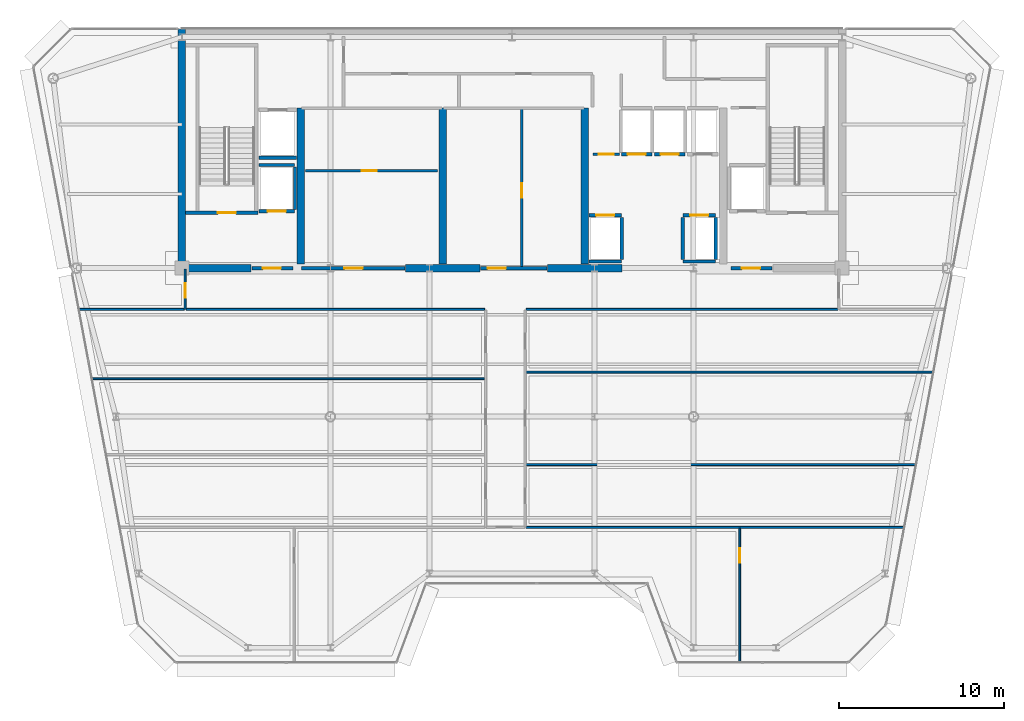
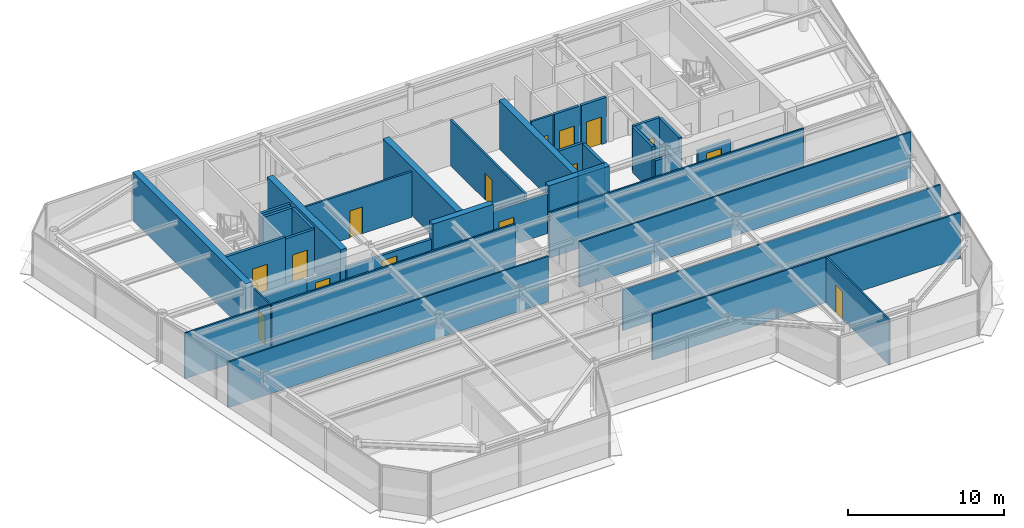
# One storey, part 11 of 20: 37 walls, 15 doors, 15 openings.
"""IFC4 building model written with IfcOpenShell, lengths in metres."""

from ifc_helpers import new_model, si_unit, direction, frame, frame_2d, origin, place, context, subcontext, project, spatial, rectangle, extrude, source, transform, mapped, material, layer, layer_set, type_object, element, fill, save


model = new_model("IFC4")

# Units and contexts
model_context = context("Model", 3, precision=1e-05, world=origin(), true_north=direction((0.0, 1.0)))
body_context = subcontext(model_context, "Body", "Model", "MODEL_VIEW")
ifc_project = project(units=[si_unit("LENGTHUNIT", "METRE"), si_unit("AREAUNIT", "SQUARE_METRE"), si_unit("VOLUMEUNIT", "CUBIC_METRE"), si_unit("PLANEANGLEUNIT", "RADIAN"), si_unit("MASSUNIT", "GRAM", prefix="KILO")], contexts=[model_context])

# Site, building, storey
site_placement = place(None, origin())
site = spatial("IfcSite", under=ifc_project, at=site_placement, CompositionType="ELEMENT")
building_placement = place(site_placement, origin())
building = spatial("IfcBuilding", under=site, at=building_placement, Name="Vaeldorn Concourse Tower", CompositionType="ELEMENT")
storey_placement = place(building_placement, frame((0.0, 0.0, 291.60009765625)))
storey = spatial("IfcBuildingStorey", under=building, at=storey_placement, Name="L75", CompositionType="ELEMENT", Elevation=291.60009765625)

# Walls
ifc_material_1 = material(Name="Concrete C50/60", Category="concrete")
ifc_layer_1 = layer(ifc_material_1, 0.449951171875)
ifc_layer_set_1 = layer_set([ifc_layer_1], Name="Concrete C50/60")
wall_type_1 = type_object("IfcWallType", Name="WL-CORE-450", PredefinedType="SHEAR", material=ifc_layer_set_1)
wall_1_placement = place(storey_placement, frame((14.0, 36.5, 0.0), z_axis=(0.0, 0.0, 1.0), x_axis=(0.0, 1.0, 0.0)))
element("IfcWall", 1, at=wall_1_placement, inside=storey, type_object=wall_type_1, Name="Rear Core Shear Wall L75 W1", PredefinedType="SHEAR", context=body_context, shape_type="SweptSolid", body=[
    extrude(rectangle(XDim=14.5, YDim=0.449951171875, at=frame_2d((7.25, 0.0))), origin(), (0.0, 0.0, 1.0), 3.7998046875),
])
wall_2_placement = place(storey_placement, frame((14.2451171875, 36.5, 0.0), z_axis=(0.0, 0.0, 1.0), x_axis=(1.0, 0.0, 0.0)))
element("IfcWall", 2, at=wall_2_placement, inside=storey, type_object=wall_type_1, Name="Rear Core Shear Wall L75 S1", PredefinedType="SHEAR", context=body_context, shape_type="SweptSolid", body=[
    extrude(rectangle(XDim=3.954833984375, YDim=0.449951171875, at=frame_2d((1.9775390625, 0.0))), origin(), (0.0, 0.0, 1.0), 2.579833984375),
])
for number, where, z_axis, x_axis, name in (
    (3, (27.550048828125, 36.5, 0.0), (0.0, 0.0, 1.0), (1.0, 0.0, 0.0), "Rear Core Shear Wall L75 S2"),
    (4, (36.14990234375, 36.5, 0.0), (0.0, 0.0, 1.0), (1.0, 0.0, 0.0), "Rear Core Shear Wall L75 S3"),
):
    element("IfcWall", number, at=place(storey_placement, frame(where, z_axis=z_axis, x_axis=x_axis)), inside=storey, type_object=wall_type_1, Name=name, PredefinedType="SHEAR", context=body_context, shape_type="SweptSolid", body=[
        extrude(rectangle(XDim=4.5, YDim=0.449951171875, at=frame_2d((2.25, 0.0))), origin(), (0.0, 0.0, 1.0), 3.7998046875),
    ])
for number, where, z_axis, x_axis, name in (
    (5, (21.199951171875, 36.7451171875, 0.0), (0.0, 0.0, 1.0), (0.0, 1.0, 0.0), "Rear Core Shear Wall L75 M1"),
    (6, (29.800048828125, 36.7451171875, 0.0), (0.0, 0.0, 1.0), (0.0, 1.0, 0.0), "Rear Core Shear Wall L75 M2"),
    (7, (38.39990234375, 36.7451171875, 0.0), (0.0, 0.0, 1.0), (0.0, 1.0, 0.0), "Rear Core Shear Wall L75 M3"),
):
    element("IfcWall", number, at=place(storey_placement, frame(where, z_axis=z_axis, x_axis=x_axis)), inside=storey, type_object=wall_type_1, Name=name, PredefinedType="SHEAR", context=body_context, shape_type="SweptSolid", body=[
        extrude(rectangle(XDim=9.454833984375, YDim=0.449951171875, at=frame_2d((4.7275390625, 0.0))), origin(), (0.0, 0.0, 1.0), 3.7998046875),
    ])
ifc_material_2 = material(Name="Gypsum Board Partition", Category="gypsum")
ifc_layer_2 = layer(ifc_material_2, 0.1201171875)
ifc_layer_set_2 = layer_set([ifc_layer_2], Name="Gypsum Board Partition")
wall_type_2 = type_object("IfcWallType", Name="WL-PART-120", PredefinedType="PARTITIONING", material=ifc_layer_set_2)
wall_3_placement = place(storey_placement, frame((14.260009765625, 34.0, 0.0), z_axis=(0.0, 0.0, 1.0), x_axis=(1.0, 0.0, 0.0)))
element("IfcWall", 8, at=wall_3_placement, inside=storey, type_object=wall_type_2, Name="Interior Wall PW-L75-C3SW", PredefinedType="PARTITIONING", context=body_context, shape_type="SweptSolid", body=[
    extrude(rectangle(XDim=18.080078125, YDim=0.1201171875, at=frame_2d((9.0400390625, 0.0))), origin(), (0.0, 0.0, 1.0), 3.579833984375),
])
wall_4_placement = place(storey_placement, frame((34.860107421875, 34.0, 0.0), z_axis=(0.0, 0.0, 1.0), x_axis=(1.0, 0.0, 0.0)))
element("IfcWall", 9, at=wall_4_placement, inside=storey, type_object=wall_type_2, Name="Interior Wall PW-L75-C3SE", PredefinedType="PARTITIONING", context=body_context, shape_type="SweptSolid", body=[
    extrude(rectangle(XDim=18.8798828125, YDim=0.1201171875, at=frame_2d((9.43994140625, 0.0))), origin(), (0.0, 0.0, 1.0), 3.579833984375),
])

# Wall, opening, door
wall_5_placement = place(storey_placement, frame((14.199951171875, 34.0, 0.0), z_axis=(0.0, 0.0, 1.0), x_axis=(0.0, 1.0, 0.0)))
wall_5 = element("IfcWall", 10, at=wall_5_placement, inside=storey, type_object=wall_type_2, Name="Interior Wall PW-L75-C3W", PredefinedType="PARTITIONING", context=body_context, shape_type="SweptSolid", body=[
    extrude(rectangle(XDim=2.43994140625, YDim=0.1201171875, at=frame_2d((1.219970703125, 0.0))), origin(), (0.0, 0.0, 1.0), 3.579833984375),
])
opening_1_placement = place(wall_5_placement, frame((0.699951171875, 0.0, 0.0)))
opening_1 = element("IfcOpeningElement", 11, at=opening_1_placement, cuts=wall_5, Name="Opening D-03", PredefinedType="OPENING", context=body_context, shape_type="SweptSolid", body=[
    extrude(rectangle(XDim=0.89990234375, YDim=2.14990234375, at=frame_2d((0.449951171875, 1.074951171875))), frame((0.0, 0.070068359375, 0.0), z_axis=(0.0, -1.0, 0.0), x_axis=(1.0, 0.0, 0.0)), (0.0, 0.0, 1.0), 0.14013671875),
])
ifc_material_3 = material(Name="Acoustic Bronze-Framed Glass Door", Category="glass")
door_type_1 = type_object("IfcDoorType", Name="DR-INT-900", OperationType="NOTDEFINED", PredefinedType="DOOR", material=ifc_material_3)
shared_shape_1 = source(origin(), body_context, "Body", "SweptSolid", [
    extrude(rectangle(XDim=0.89990234375, YDim=2.14990234375, at=frame_2d((0.449951171875, 1.074951171875))), frame((0.0, 0.02490234375, 0.0), z_axis=(0.0, -1.0, 0.0), x_axis=(1.0, 0.0, 0.0)), (0.0, 0.0, 1.0), 0.050048828125),
])
door_1_placement = place(opening_1_placement, origin())
door_1 = element("IfcDoor", 12, at=door_1_placement, inside=storey, type_object=door_type_1, Name="Interior Door DR-L75-Z3NW", OperationType="SINGLE_SWING_LEFT", OverallHeight=2.14990234375, OverallWidth=0.89990234375, PredefinedType="DOOR", context=body_context, shape_type="MappedRepresentation", body=[
    mapped(shared_shape_1, transform((0.0, 0.0, 0.0), scale=1.0)),
])
fill(opening_1, door_1)

# Walls
wall_6_placement = place(storey_placement, frame((7.795654296875, 34.0, 0.0), z_axis=(0.0, 0.0, 1.0), x_axis=(1.0, 0.0, 0.0)))
element("IfcWall", 13, at=wall_6_placement, inside=storey, type_object=wall_type_2, Name="Interior Wall PW-L75-Z3NWB", PredefinedType="PARTITIONING", context=body_context, shape_type="SweptSolid", body=[
    extrude(rectangle(XDim=6.34423828125, YDim=0.1201171875, at=frame_2d((3.172119140625, 0.0))), origin(), (0.0, 0.0, 1.0), 3.579833984375),
])
wall_7_placement = place(storey_placement, frame((8.5830078125, 29.800048828125, 0.0), z_axis=(0.0, 0.0, 1.0), x_axis=(1.0, 0.0, 0.0)))
element("IfcWall", 14, at=wall_7_placement, inside=storey, type_object=wall_type_2, Name="Interior Wall PW-L75-Z3WY2", PredefinedType="PARTITIONING", context=body_context, shape_type="SweptSolid", body=[
    extrude(rectangle(XDim=23.757080078125, YDim=0.1201171875, at=frame_2d((11.87841796875, 0.0))), origin(), (0.0, 0.0, 1.0), 3.579833984375),
])
wall_8_placement = place(storey_placement, frame((34.860107421875, 24.60009765625, 0.0), z_axis=(0.0, 0.0, 1.0), x_axis=(1.0, 0.0, 0.0)))
element("IfcWall", 15, at=wall_8_placement, inside=storey, type_object=wall_type_2, Name="Interior Wall PW-L75-Z3EY1", PredefinedType="PARTITIONING", context=body_context, shape_type="SweptSolid", body=[
    extrude(rectangle(XDim=23.582275390625, YDim=0.1201171875, at=frame_2d((11.791015625, 0.0))), origin(), (0.0, 0.0, 1.0), 3.2099609375),
])
wall_9_placement = place(storey_placement, frame((34.860107421875, 30.199951171875, 0.0), z_axis=(0.0, 0.0, 1.0), x_axis=(1.0, 0.0, 0.0)))
element("IfcWall", 16, at=wall_9_placement, inside=storey, type_object=wall_type_2, Name="Interior Wall PW-L75-Z3EY2", PredefinedType="PARTITIONING", context=body_context, shape_type="SweptSolid", body=[
    extrude(rectangle(XDim=24.632080078125, YDim=0.1201171875, at=frame_2d((12.31591796875, 0.0))), origin(), (0.0, 0.0, 1.0), 3.579833984375),
])
wall_10_placement = place(storey_placement, frame((34.860107421875, 20.800048828125, 0.0), z_axis=(0.0, 0.0, 1.0), x_axis=(1.0, 0.0, 0.0)))
element("IfcWall", 17, at=wall_10_placement, inside=storey, type_object=wall_type_2, Name="Interior Wall PW-L75-Z3SEL", PredefinedType="PARTITIONING", context=body_context, shape_type="SweptSolid", body=[
    extrude(rectangle(XDim=22.869873046875, YDim=0.1201171875, at=frame_2d((11.43505859375, 0.0))), origin(), (0.0, 0.0, 1.0), 3.579833984375),
])

# Wall, opening, door
wall_11_placement = place(storey_placement, frame((47.800048828125, 12.639892578125, 0.0), z_axis=(0.0, 0.0, 1.0), x_axis=(0.0, 1.0, 0.0)))
wall_11 = element("IfcWall", 18, at=wall_11_placement, inside=storey, type_object=wall_type_2, Name="Interior Wall PW-L75-Z3SX2", PredefinedType="PARTITIONING", context=body_context, shape_type="SweptSolid", body=[
    extrude(rectangle(XDim=8.10009765625, YDim=0.1201171875, at=frame_2d((4.050048828125, 0.0))), origin(), (0.0, 0.0, 1.0), 3.579833984375),
])
opening_2_placement = place(wall_11_placement, frame((6.0, 0.0, 0.0)))
opening_2 = element("IfcOpeningElement", 19, at=opening_2_placement, cuts=wall_11, Name="Opening D-03", PredefinedType="OPENING", context=body_context, shape_type="SweptSolid", body=[
    extrude(rectangle(XDim=0.89990234375, YDim=2.14990234375, at=frame_2d((0.449951171875, 1.074951171875))), frame((0.0, 0.070068359375, 0.0), z_axis=(0.0, -1.0, 0.0), x_axis=(1.0, 0.0, 0.0)), (0.0, 0.0, 1.0), 0.14013671875),
])
door_2_placement = place(opening_2_placement, origin())
door_2 = element("IfcDoor", 20, at=door_2_placement, inside=storey, type_object=door_type_1, Name="Interior Door DR-L75-Z3SX2", OperationType="SINGLE_SWING_LEFT", OverallHeight=2.14990234375, OverallWidth=0.89990234375, PredefinedType="DOOR", context=body_context, shape_type="MappedRepresentation", body=[
    mapped(shared_shape_1, transform((0.0, 0.0, 0.0), scale=1.0)),
])
fill(opening_2, door_2)

ifc_layer_3 = layer(ifc_material_2, 0.14990234375)
ifc_layer_set_3 = layer_set([ifc_layer_3], Name="Gypsum Board Partition")
wall_type_3 = type_object("IfcWallType", Name="WL-PART-150", PredefinedType="PARTITIONING", material=ifc_layer_set_3)
wall_12_placement = place(storey_placement, frame((21.5, 42.39990234375, 0.0), z_axis=(0.0, 0.0, 1.0), x_axis=(1.0, 0.0, 0.0)))
wall_12 = element("IfcWall", 21, at=wall_12_placement, inside=storey, type_object=wall_type_3, Name="Interior Wall CW-L75-R1M", PredefinedType="PARTITIONING", context=body_context, shape_type="SweptSolid", body=[
    extrude(rectangle(XDim=8.0, YDim=0.14990234375, at=frame_2d((4.0, 0.0))), origin(), (0.0, 0.0, 1.0), 3.579833984375),
])
opening_3_placement = place(wall_12_placement, frame((3.39990234375, 0.0, 0.0)))
opening_3 = element("IfcOpeningElement", 22, at=opening_3_placement, cuts=wall_12, Name="Opening D-02", PredefinedType="OPENING", context=body_context, shape_type="SweptSolid", body=[
    extrude(rectangle(XDim=0.89990234375, YDim=2.10009765625, at=frame_2d((0.449951171875, 1.050048828125))), frame((0.0, 0.0849609375, 0.0), z_axis=(0.0, -1.0, 0.0), x_axis=(1.0, 0.0, 0.0)), (0.0, 0.0, 1.0), 0.169921875),
])
ifc_material_4 = material(Name="Fire-Rated Timber Leaf", Category="wood")
door_type_2 = type_object("IfcDoorType", Name="DR-FD30-900", OperationType="NOTDEFINED", PredefinedType="DOOR", material=ifc_material_4)
shared_shape_2 = source(origin(), body_context, "Body", "SweptSolid", [
    extrude(rectangle(XDim=0.89990234375, YDim=2.10009765625, at=frame_2d((0.449951171875, 1.050048828125))), frame((0.0, 0.02490234375, 0.0), z_axis=(0.0, -1.0, 0.0), x_axis=(1.0, 0.0, 0.0)), (0.0, 0.0, 1.0), 0.050048828125),
])
door_3_placement = place(opening_3_placement, origin())
door_3 = element("IfcDoor", 23, at=door_3_placement, inside=storey, type_object=door_type_2, Name="Interior Door DR-L75-R1M", OperationType="SINGLE_SWING_RIGHT", OverallHeight=2.10009765625, OverallWidth=0.89990234375, PredefinedType="DOOR", context=body_context, shape_type="MappedRepresentation", body=[
    mapped(shared_shape_2, transform((0.0, 0.0, 0.0), scale=1.0)),
])
fill(opening_3, door_3)

wall_13_placement = place(storey_placement, frame((34.60009765625, 36.56005859375, 0.0), z_axis=(0.0, 0.0, 1.0), x_axis=(0.0, 1.0, 0.0)))
wall_13 = element("IfcWall", 24, at=wall_13_placement, inside=storey, type_object=wall_type_3, Name="Interior Wall CW-L75-R2M", PredefinedType="PARTITIONING", context=body_context, shape_type="SweptSolid", body=[
    extrude(rectangle(XDim=9.579833984375, YDim=0.14990234375, at=frame_2d((4.7900390625, 0.0))), origin(), (0.0, 0.0, 1.0), 3.579833984375),
])
opening_4_placement = place(wall_13_placement, frame((4.199951171875, 0.0, 0.0)))
opening_4 = element("IfcOpeningElement", 25, at=opening_4_placement, cuts=wall_13, Name="Opening D-02", PredefinedType="OPENING", context=body_context, shape_type="SweptSolid", body=[
    extrude(rectangle(XDim=0.89990234375, YDim=2.10009765625, at=frame_2d((0.449951171875, 1.050048828125))), frame((0.0, 0.0849609375, 0.0), z_axis=(0.0, -1.0, 0.0), x_axis=(1.0, 0.0, 0.0)), (0.0, 0.0, 1.0), 0.169921875),
])
door_4_placement = place(opening_4_placement, origin())
door_4 = element("IfcDoor", 26, at=door_4_placement, inside=storey, type_object=door_type_2, Name="Interior Door DR-L75-R2E", OperationType="SINGLE_SWING_RIGHT", OverallHeight=2.10009765625, OverallWidth=0.89990234375, PredefinedType="DOOR", context=body_context, shape_type="MappedRepresentation", body=[
    mapped(shared_shape_2, transform((0.0, 0.0, 0.0), scale=1.0)),
])
fill(opening_4, door_4)

wall_14_placement = place(storey_placement, frame((38.919921875, 43.39990234375, 0.0), z_axis=(0.0, 0.0, 1.0), x_axis=(1.0, 0.0, 0.0)))
wall_14 = element("IfcWall", 27, at=wall_14_placement, inside=storey, type_object=wall_type_3, Name="Interior Wall CW-L75-CCLINK", PredefinedType="PARTITIONING", context=body_context, shape_type="SweptSolid", body=[
    extrude(rectangle(XDim=1.60009765625, YDim=0.14990234375, at=frame_2d((0.800048828125, 0.0))), origin(), (0.0, 0.0, 1.0), 3.579833984375),
])
opening_5_placement = place(wall_14_placement, frame((0.35009765625, 0.0, 0.0)))
opening_5 = element("IfcOpeningElement", 28, at=opening_5_placement, cuts=wall_14, Name="Opening D-02", PredefinedType="OPENING", context=body_context, shape_type="SweptSolid", body=[
    extrude(rectangle(XDim=0.89990234375, YDim=2.10009765625, at=frame_2d((0.449951171875, 1.050048828125))), frame((0.0, 0.0849609375, 0.0), z_axis=(0.0, -1.0, 0.0), x_axis=(1.0, 0.0, 0.0)), (0.0, 0.0, 1.0), 0.169921875),
])
door_5_placement = place(opening_5_placement, origin())
door_5 = element("IfcDoor", 29, at=door_5_placement, inside=storey, type_object=door_type_2, Name="Interior Door DR-L75-CCLINK", OperationType="SINGLE_SWING_LEFT", OverallHeight=2.10009765625, OverallWidth=0.89990234375, PredefinedType="DOOR", context=body_context, shape_type="MappedRepresentation", body=[
    mapped(shared_shape_2, transform((0.0, 0.0, 0.0), scale=1.0)),
])
fill(opening_5, door_5)

ifc_layer_4 = layer(ifc_material_1, 0.199951171875)
ifc_layer_set_4 = layer_set([ifc_layer_4], Name="Concrete C50/60")
wall_type_4 = type_object("IfcWallType", Name="WL-SHAFT-200", PredefinedType="SOLIDWALL", material=ifc_layer_set_4)
wall_15_placement = place(storey_placement, frame((14.22509765625, 39.85009765625, 0.0), z_axis=(0.0, 0.0, 1.0), x_axis=(1.0, 0.0, 0.0)))
wall_15 = element("IfcWall", 30, at=wall_15_placement, inside=storey, type_object=wall_type_4, Name="Stair Shaft Wall CW-L75-ST-1-S", PredefinedType="SOLIDWALL", context=body_context, shape_type="SweptSolid", body=[
    extrude(rectangle(XDim=4.375, YDim=0.199951171875, at=frame_2d((2.1875, 0.0))), origin(), (0.0, 0.0, 1.0), 3.7998046875),
])
opening_6_placement = place(wall_15_placement, frame((1.949951171875, 0.0, 0.0)))
opening_6 = element("IfcOpeningElement", 31, at=opening_6_placement, cuts=wall_15, Name="Opening D-01", PredefinedType="OPENING", context=body_context, shape_type="SweptSolid", body=[
    extrude(rectangle(XDim=1.10009765625, YDim=2.14990234375, at=frame_2d((0.550048828125, 1.074951171875))), frame((0.0, 0.10986328125, 0.0), z_axis=(0.0, -1.0, 0.0), x_axis=(1.0, 0.0, 0.0)), (0.0, 0.0, 1.0), 0.219970703125),
])
ifc_material_5 = material(Name="Fire-Rated Timber and Steel Leaf", Category="steel")
door_type_3 = type_object("IfcDoorType", Name="DR-FD60-1100", OperationType="NOTDEFINED", PredefinedType="DOOR", material=ifc_material_5)
shared_shape_3 = source(origin(), body_context, "Body", "SweptSolid", [
    extrude(rectangle(XDim=1.10009765625, YDim=2.14990234375, at=frame_2d((0.550048828125, 1.074951171875))), frame((0.0, 0.02490234375, 0.0), z_axis=(0.0, -1.0, 0.0), x_axis=(1.0, 0.0, 0.0)), (0.0, 0.0, 1.0), 0.050048828125),
])
door_6_placement = place(opening_6_placement, origin())
door_6 = element("IfcDoor", 32, at=door_6_placement, inside=storey, type_object=door_type_3, Name="Interior Door DR-L75-ST-1", OperationType="SINGLE_SWING_LEFT", OverallHeight=2.14990234375, OverallWidth=1.10009765625, PredefinedType="DOOR", context=body_context, shape_type="MappedRepresentation", body=[
    mapped(shared_shape_3, transform((0.0, 0.0, 0.0), scale=1.0)),
])
fill(opening_6, door_6)

wall_16_placement = place(storey_placement, frame((18.25, 36.5, 0.0), z_axis=(0.0, 0.0, 1.0), x_axis=(1.0, 0.0, 0.0)))
wall_16 = element("IfcWall", 33, at=wall_16_placement, inside=storey, type_object=wall_type_4, Name="Interior Wall CW-L75-FF1S", PredefinedType="SOLIDWALL", context=body_context, shape_type="SweptSolid", body=[
    extrude(rectangle(XDim=2.469970703125, YDim=0.199951171875, at=frame_2d((1.23486328125, 0.0))), origin(), (0.0, 0.0, 1.0), 2.56982421875),
])
opening_7_placement = place(wall_16_placement, frame((0.64990234375, 0.0, 0.0)))
opening_7 = element("IfcOpeningElement", 34, at=opening_7_placement, cuts=wall_16, Name="Opening D-01", PredefinedType="OPENING", context=body_context, shape_type="SweptSolid", body=[
    extrude(rectangle(XDim=1.10009765625, YDim=2.14990234375, at=frame_2d((0.550048828125, 1.074951171875))), frame((0.0, 0.10986328125, 0.0), z_axis=(0.0, -1.0, 0.0), x_axis=(1.0, 0.0, 0.0)), (0.0, 0.0, 1.0), 0.219970703125),
])
door_7_placement = place(opening_7_placement, origin())
door_7 = element("IfcDoor", 35, at=door_7_placement, inside=storey, type_object=door_type_3, Name="Interior Door DR-L75-FF1E", OperationType="SINGLE_SWING_RIGHT", OverallHeight=2.14990234375, OverallWidth=1.10009765625, PredefinedType="DOOR", context=body_context, shape_type="MappedRepresentation", body=[
    mapped(shared_shape_3, transform((0.0, 0.0, 0.0), scale=1.0)),
])
fill(opening_7, door_7)

wall_17_placement = place(storey_placement, frame((47.280029296875, 36.5, 0.0), z_axis=(0.0, 0.0, 1.0), x_axis=(1.0, 0.0, 0.0)))
wall_17 = element("IfcWall", 36, at=wall_17_placement, inside=storey, type_object=wall_type_4, Name="Interior Wall CW-L75-FF2S", PredefinedType="SOLIDWALL", context=body_context, shape_type="SweptSolid", body=[
    extrude(rectangle(XDim=2.469970703125, YDim=0.199951171875, at=frame_2d((1.23486328125, 0.0))), origin(), (0.0, 0.0, 1.0), 2.56982421875),
])
opening_8_placement = place(wall_17_placement, frame((0.64990234375, 0.0, 0.0)))
opening_8 = element("IfcOpeningElement", 37, at=opening_8_placement, cuts=wall_17, Name="Opening D-01", PredefinedType="OPENING", context=body_context, shape_type="SweptSolid", body=[
    extrude(rectangle(XDim=1.10009765625, YDim=2.14990234375, at=frame_2d((0.550048828125, 1.074951171875))), frame((0.0, 0.10986328125, 0.0), z_axis=(0.0, -1.0, 0.0), x_axis=(1.0, 0.0, 0.0)), (0.0, 0.0, 1.0), 0.219970703125),
])
door_8_placement = place(opening_8_placement, origin())
door_8 = element("IfcDoor", 38, at=door_8_placement, inside=storey, type_object=door_type_3, Name="Interior Door DR-L75-FF2W", OperationType="SINGLE_SWING_LEFT", OverallHeight=2.14990234375, OverallWidth=1.10009765625, PredefinedType="DOOR", context=body_context, shape_type="MappedRepresentation", body=[
    mapped(shared_shape_3, transform((0.0, 0.0, 0.0), scale=1.0)),
])
fill(opening_8, door_8)

wall_18_placement = place(storey_placement, frame((38.669921875, 39.699951171875, 0.0), z_axis=(0.0, 0.0, 1.0), x_axis=(1.0, 0.0, 0.0)))
wall_18 = element("IfcWall", 39, at=wall_18_placement, inside=storey, type_object=wall_type_4, Name="Interior Wall CW-L75-LF-LF-13", PredefinedType="SOLIDWALL", context=body_context, shape_type="SweptSolid", body=[
    extrude(rectangle(XDim=1.9599609375, YDim=0.199951171875, at=frame_2d((0.97998046875, 0.0))), origin(), (0.0, 0.0, 1.0), 3.579833984375),
])
opening_9_placement = place(wall_18_placement, frame((0.429931640625, 0.0, 0.0)))
opening_9 = element("IfcOpeningElement", 40, at=opening_9_placement, cuts=wall_18, Name="Opening LD-1", PredefinedType="OPENING", context=body_context, shape_type="SweptSolid", body=[
    extrude(rectangle(XDim=1.10009765625, YDim=2.14990234375, at=frame_2d((0.550048828125, 1.074951171875))), frame((0.0, 0.10986328125, 0.0), z_axis=(0.0, -1.0, 0.0), x_axis=(1.0, 0.0, 0.0)), (0.0, 0.0, 1.0), 0.219970703125),
])
ifc_material_6 = material(Name="Anodised Bronze Aluminium", Category="aluminium")
door_type_4 = type_object("IfcDoorType", Name="DR-LIFT-SLIDE-1100", OperationType="DOUBLE_DOOR_SLIDING", PredefinedType="DOOR", material=ifc_material_6)
door_9_placement = place(opening_9_placement, origin())
door_9 = element("IfcDoor", 41, at=door_9_placement, inside=storey, type_object=door_type_4, Name="Lift Landing Door LD-L75-LF-13", OperationType="DOUBLE_DOOR_SLIDING", OverallHeight=2.14990234375, OverallWidth=1.10009765625, PredefinedType="DOOR", context=body_context, shape_type="MappedRepresentation", body=[
    mapped(shared_shape_3, transform((0.0, 0.0, 0.0), scale=1.0)),
])
fill(opening_9, door_9)

# Walls
wall_19_placement = place(storey_placement, frame((38.669921875, 36.89990234375, 0.0), z_axis=(0.0, 0.0, 1.0), x_axis=(1.0, 0.0, 0.0)))
element("IfcWall", 42, at=wall_19_placement, inside=storey, type_object=wall_type_4, Name="Interior Wall CW-L75-LFB-LF-13", PredefinedType="SOLIDWALL", context=body_context, shape_type="SweptSolid", body=[
    extrude(rectangle(XDim=1.9599609375, YDim=0.199951171875, at=frame_2d((0.97998046875, 0.0))), origin(), (0.0, 0.0, 1.0), 3.579833984375),
])
wall_20_placement = place(storey_placement, frame((40.64990234375, 37.02001953125, 0.0), z_axis=(0.0, 0.0, 1.0), x_axis=(0.0, 1.0, 0.0)))
element("IfcWall", 43, at=wall_20_placement, inside=storey, type_object=wall_type_4, Name="Interior Wall CW-L75-LFE-LF-13", PredefinedType="SOLIDWALL", context=body_context, shape_type="SweptSolid", body=[
    extrude(rectangle(XDim=2.56005859375, YDim=0.199951171875, at=frame_2d((1.280029296875, 0.0))), origin(), (0.0, 0.0, 1.0), 3.579833984375),
])

# Wall, opening, door
wall_21_placement = place(storey_placement, frame((44.3701171875, 39.699951171875, 0.0), z_axis=(0.0, 0.0, 1.0), x_axis=(1.0, 0.0, 0.0)))
wall_21 = element("IfcWall", 44, at=wall_21_placement, inside=storey, type_object=wall_type_4, Name="Interior Wall CW-L75-LF-LF-14", PredefinedType="SOLIDWALL", context=body_context, shape_type="SweptSolid", body=[
    extrude(rectangle(XDim=1.9599609375, YDim=0.199951171875, at=frame_2d((0.97998046875, 0.0))), origin(), (0.0, 0.0, 1.0), 3.579833984375),
])
opening_10_placement = place(wall_21_placement, frame((0.429931640625, 0.0, 0.0)))
opening_10 = element("IfcOpeningElement", 45, at=opening_10_placement, cuts=wall_21, Name="Opening LD-1", PredefinedType="OPENING", context=body_context, shape_type="SweptSolid", body=[
    extrude(rectangle(XDim=1.10009765625, YDim=2.14990234375, at=frame_2d((0.550048828125, 1.074951171875))), frame((0.0, 0.10986328125, 0.0), z_axis=(0.0, -1.0, 0.0), x_axis=(1.0, 0.0, 0.0)), (0.0, 0.0, 1.0), 0.219970703125),
])
door_10_placement = place(opening_10_placement, origin())
door_10 = element("IfcDoor", 46, at=door_10_placement, inside=storey, type_object=door_type_4, Name="Lift Landing Door LD-L75-LF-14", OperationType="DOUBLE_DOOR_SLIDING", OverallHeight=2.14990234375, OverallWidth=1.10009765625, PredefinedType="DOOR", context=body_context, shape_type="MappedRepresentation", body=[
    mapped(shared_shape_3, transform((0.0, 0.0, 0.0), scale=1.0)),
])
fill(opening_10, door_10)

# Walls
wall_22_placement = place(storey_placement, frame((44.3701171875, 36.89990234375, 0.0), z_axis=(0.0, 0.0, 1.0), x_axis=(1.0, 0.0, 0.0)))
element("IfcWall", 47, at=wall_22_placement, inside=storey, type_object=wall_type_4, Name="Interior Wall CW-L75-LFB-LF-14", PredefinedType="SOLIDWALL", context=body_context, shape_type="SweptSolid", body=[
    extrude(rectangle(XDim=1.9599609375, YDim=0.199951171875, at=frame_2d((0.97998046875, 0.0))), origin(), (0.0, 0.0, 1.0), 2.56982421875),
])
for number, where, z_axis, x_axis, name in (
    (48, (44.35009765625, 37.02001953125, 0.0), (0.0, 0.0, 1.0), (0.0, 1.0, 0.0), "Interior Wall CW-L75-LFW-LF-14"),
    (49, (46.35009765625, 37.02001953125, 0.0), (0.0, 0.0, 1.0), (0.0, 1.0, 0.0), "Interior Wall CW-L75-LFE-LF-14"),
):
    element("IfcWall", number, at=place(storey_placement, frame(where, z_axis=z_axis, x_axis=x_axis)), inside=storey, type_object=wall_type_4, Name=name, PredefinedType="SOLIDWALL", context=body_context, shape_type="SweptSolid", body=[
        extrude(rectangle(XDim=2.56005859375, YDim=0.199951171875, at=frame_2d((1.280029296875, 0.0))), origin(), (0.0, 0.0, 1.0), 3.579833984375),
    ])

# Wall, opening, door
wall_23_placement = place(storey_placement, frame((40.6201171875, 43.39990234375, 0.0), z_axis=(0.0, 0.0, 1.0), x_axis=(1.0, 0.0, 0.0)))
wall_23 = element("IfcWall", 50, at=wall_23_placement, inside=storey, type_object=wall_type_4, Name="Interior Wall CW-L75-LF-LF-15", PredefinedType="SOLIDWALL", context=body_context, shape_type="SweptSolid", body=[
    extrude(rectangle(XDim=1.85986328125, YDim=0.199951171875, at=frame_2d((0.929931640625, 0.0))), origin(), (0.0, 0.0, 1.0), 3.579833984375),
])
opening_11_placement = place(wall_23_placement, frame((0.3798828125, 0.0, 0.0)))
opening_11 = element("IfcOpeningElement", 51, at=opening_11_placement, cuts=wall_23, Name="Opening LD-1", PredefinedType="OPENING", context=body_context, shape_type="SweptSolid", body=[
    extrude(rectangle(XDim=1.10009765625, YDim=2.14990234375, at=frame_2d((0.550048828125, 1.074951171875))), frame((0.0, 0.10986328125, 0.0), z_axis=(0.0, -1.0, 0.0), x_axis=(1.0, 0.0, 0.0)), (0.0, 0.0, 1.0), 0.219970703125),
])
door_11_placement = place(opening_11_placement, origin())
door_11 = element("IfcDoor", 52, at=door_11_placement, inside=storey, type_object=door_type_4, Name="Lift Landing Door LD-L75-LF-15", OperationType="DOUBLE_DOOR_SLIDING", OverallHeight=2.14990234375, OverallWidth=1.10009765625, PredefinedType="DOOR", context=body_context, shape_type="MappedRepresentation", body=[
    mapped(shared_shape_3, transform((0.0, 0.0, 0.0), scale=1.0)),
])
fill(opening_11, door_11)

wall_24_placement = place(storey_placement, frame((42.6201171875, 43.39990234375, 0.0), z_axis=(0.0, 0.0, 1.0), x_axis=(1.0, 0.0, 0.0)))
wall_24 = element("IfcWall", 53, at=wall_24_placement, inside=storey, type_object=wall_type_4, Name="Interior Wall CW-L75-LF-LF-16", PredefinedType="SOLIDWALL", context=body_context, shape_type="SweptSolid", body=[
    extrude(rectangle(XDim=1.85986328125, YDim=0.199951171875, at=frame_2d((0.929931640625, 0.0))), origin(), (0.0, 0.0, 1.0), 3.579833984375),
])
opening_12_placement = place(wall_24_placement, frame((0.3798828125, 0.0, 0.0)))
opening_12 = element("IfcOpeningElement", 54, at=opening_12_placement, cuts=wall_24, Name="Opening LD-1", PredefinedType="OPENING", context=body_context, shape_type="SweptSolid", body=[
    extrude(rectangle(XDim=1.10009765625, YDim=2.14990234375, at=frame_2d((0.550048828125, 1.074951171875))), frame((0.0, 0.10986328125, 0.0), z_axis=(0.0, -1.0, 0.0), x_axis=(1.0, 0.0, 0.0)), (0.0, 0.0, 1.0), 0.219970703125),
])
door_12_placement = place(opening_12_placement, origin())
door_12 = element("IfcDoor", 55, at=door_12_placement, inside=storey, type_object=door_type_4, Name="Lift Landing Door LD-L75-LF-16", OperationType="DOUBLE_DOOR_SLIDING", OverallHeight=2.14990234375, OverallWidth=1.10009765625, PredefinedType="DOOR", context=body_context, shape_type="MappedRepresentation", body=[
    mapped(shared_shape_3, transform((0.0, 0.0, 0.0), scale=1.0)),
])
fill(opening_12, door_12)

# Wall
wall_25_placement = place(storey_placement, frame((18.669921875, 43.199951171875, 0.0), z_axis=(0.0, 0.0, 1.0), x_axis=(1.0, 0.0, 0.0)))
element("IfcWall", 56, at=wall_25_placement, inside=storey, type_object=wall_type_4, Name="Interior Wall CW-L75-LFB-LF-SV1", PredefinedType="SOLIDWALL", context=body_context, shape_type="SweptSolid", body=[
    extrude(rectangle(XDim=2.260009765625, YDim=0.199951171875, at=frame_2d((1.1298828125, 0.0))), origin(), (0.0, 0.0, 1.0), 3.579833984375),
])

# Wall, opening, door
wall_26_placement = place(storey_placement, frame((18.669921875, 39.949951171875, 0.0), z_axis=(0.0, 0.0, 1.0), x_axis=(1.0, 0.0, 0.0)))
wall_26 = element("IfcWall", 57, at=wall_26_placement, inside=storey, type_object=wall_type_4, Name="Interior Wall CW-L75-LF-LF-FF1", PredefinedType="SOLIDWALL", context=body_context, shape_type="SweptSolid", body=[
    extrude(rectangle(XDim=2.16015625, YDim=0.199951171875, at=frame_2d((1.080078125, 0.0))), origin(), (0.0, 0.0, 1.0), 3.579833984375),
])
opening_13_placement = place(wall_26_placement, frame((0.530029296875, 0.0, 0.0)))
opening_13 = element("IfcOpeningElement", 58, at=opening_13_placement, cuts=wall_26, Name="Opening LD-1", PredefinedType="OPENING", context=body_context, shape_type="SweptSolid", body=[
    extrude(rectangle(XDim=1.10009765625, YDim=2.14990234375, at=frame_2d((0.550048828125, 1.074951171875))), frame((0.0, 0.10986328125, 0.0), z_axis=(0.0, -1.0, 0.0), x_axis=(1.0, 0.0, 0.0)), (0.0, 0.0, 1.0), 0.219970703125),
])
door_13_placement = place(opening_13_placement, origin())
door_13 = element("IfcDoor", 59, at=door_13_placement, inside=storey, type_object=door_type_4, Name="Lift Landing Door LD-L75-LF-FF1", OperationType="DOUBLE_DOOR_SLIDING", OverallHeight=2.14990234375, OverallWidth=1.10009765625, PredefinedType="DOOR", context=body_context, shape_type="MappedRepresentation", body=[
    mapped(shared_shape_3, transform((0.0, 0.0, 0.0), scale=1.0)),
])
fill(opening_13, door_13)

# Walls
wall_27_placement = place(storey_placement, frame((18.669921875, 42.75, 0.0), z_axis=(0.0, 0.0, 1.0), x_axis=(1.0, 0.0, 0.0)))
element("IfcWall", 60, at=wall_27_placement, inside=storey, type_object=wall_type_4, Name="Interior Wall CW-L75-LFB-LF-FF1", PredefinedType="SOLIDWALL", context=body_context, shape_type="SweptSolid", body=[
    extrude(rectangle(XDim=2.16015625, YDim=0.199951171875, at=frame_2d((1.080078125, 0.0))), origin(), (0.0, 0.0, 1.0), 3.579833984375),
])
wall_28_placement = place(storey_placement, frame((20.85009765625, 40.070068359375, 0.0), z_axis=(0.0, 0.0, 1.0), x_axis=(0.0, 1.0, 0.0)))
element("IfcWall", 61, at=wall_28_placement, inside=storey, type_object=wall_type_4, Name="Interior Wall CW-L75-LFE-LF-FF1", PredefinedType="SOLIDWALL", context=body_context, shape_type="SweptSolid", body=[
    extrude(rectangle(XDim=2.559814453125, YDim=0.199951171875, at=frame_2d((1.27978515625, 0.0))), origin(), (0.0, 0.0, 1.0), 3.579833984375),
])

# Wall, opening, door
wall_29_placement = place(storey_placement, frame((21.25, 36.5, 0.0), z_axis=(0.0, 0.0, 1.0), x_axis=(1.0, 0.0, 0.0)))
wall_29 = element("IfcWall", 62, at=wall_29_placement, inside=storey, type_object=wall_type_4, Name="Interior Wall CW-L75-R1S", PredefinedType="SOLIDWALL", context=body_context, shape_type="SweptSolid", body=[
    extrude(rectangle(XDim=6.27001953125, YDim=0.199951171875, at=frame_2d((3.135009765625, 0.0))), origin(), (0.0, 0.0, 1.0), 2.56982421875),
])
opening_14_placement = place(wall_29_placement, frame((2.60009765625, 0.0, 0.0)))
opening_14 = element("IfcOpeningElement", 63, at=opening_14_placement, cuts=wall_29, Name="Opening D-01", PredefinedType="OPENING", context=body_context, shape_type="SweptSolid", body=[
    extrude(rectangle(XDim=1.10009765625, YDim=2.14990234375, at=frame_2d((0.550048828125, 1.074951171875))), frame((0.0, 0.10986328125, 0.0), z_axis=(0.0, -1.0, 0.0), x_axis=(1.0, 0.0, 0.0)), (0.0, 0.0, 1.0), 0.219970703125),
])
door_14_placement = place(opening_14_placement, origin())
door_14 = element("IfcDoor", 64, at=door_14_placement, inside=storey, type_object=door_type_3, Name="Interior Door DR-L75-R1S", OperationType="SINGLE_SWING_LEFT", OverallHeight=2.14990234375, OverallWidth=1.10009765625, PredefinedType="DOOR", context=body_context, shape_type="MappedRepresentation", body=[
    mapped(shared_shape_3, transform((0.0, 0.0, 0.0), scale=1.0)),
])
fill(opening_14, door_14)

wall_30_placement = place(storey_placement, frame((32.080078125, 36.5, 0.0), z_axis=(0.0, 0.0, 1.0), x_axis=(1.0, 0.0, 0.0)))
wall_30 = element("IfcWall", 65, at=wall_30_placement, inside=storey, type_object=wall_type_4, Name="Interior Wall CW-L75-R2S", PredefinedType="SOLIDWALL", context=body_context, shape_type="SweptSolid", body=[
    extrude(rectangle(XDim=4.0400390625, YDim=0.199951171875, at=frame_2d((2.02001953125, 0.0))), origin(), (0.0, 0.0, 1.0), 3.119873046875),
])
opening_15_placement = place(wall_30_placement, frame((0.449951171875, 0.0, 0.0)))
opening_15 = element("IfcOpeningElement", 66, at=opening_15_placement, cuts=wall_30, Name="Opening D-01", PredefinedType="OPENING", context=body_context, shape_type="SweptSolid", body=[
    extrude(rectangle(XDim=1.10009765625, YDim=2.14990234375, at=frame_2d((0.550048828125, 1.074951171875))), frame((0.0, 0.10986328125, 0.0), z_axis=(0.0, -1.0, 0.0), x_axis=(1.0, 0.0, 0.0)), (0.0, 0.0, 1.0), 0.219970703125),
])
door_15_placement = place(opening_15_placement, origin())
door_15 = element("IfcDoor", 67, at=door_15_placement, inside=storey, type_object=door_type_3, Name="Interior Door DR-L75-R2W", OperationType="SINGLE_SWING_LEFT", OverallHeight=2.14990234375, OverallWidth=1.10009765625, PredefinedType="DOOR", context=body_context, shape_type="MappedRepresentation", body=[
    mapped(shared_shape_3, transform((0.0, 0.0, 0.0), scale=1.0)),
])
fill(opening_15, door_15)

save(model, "model.ifc")
